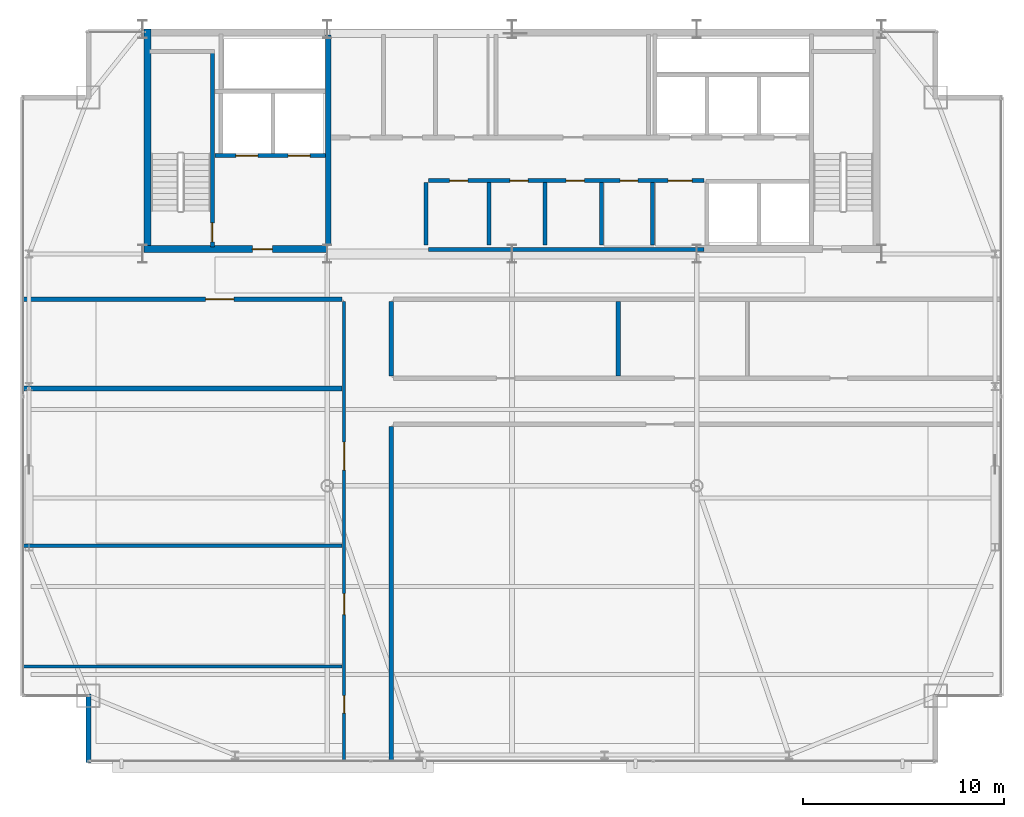
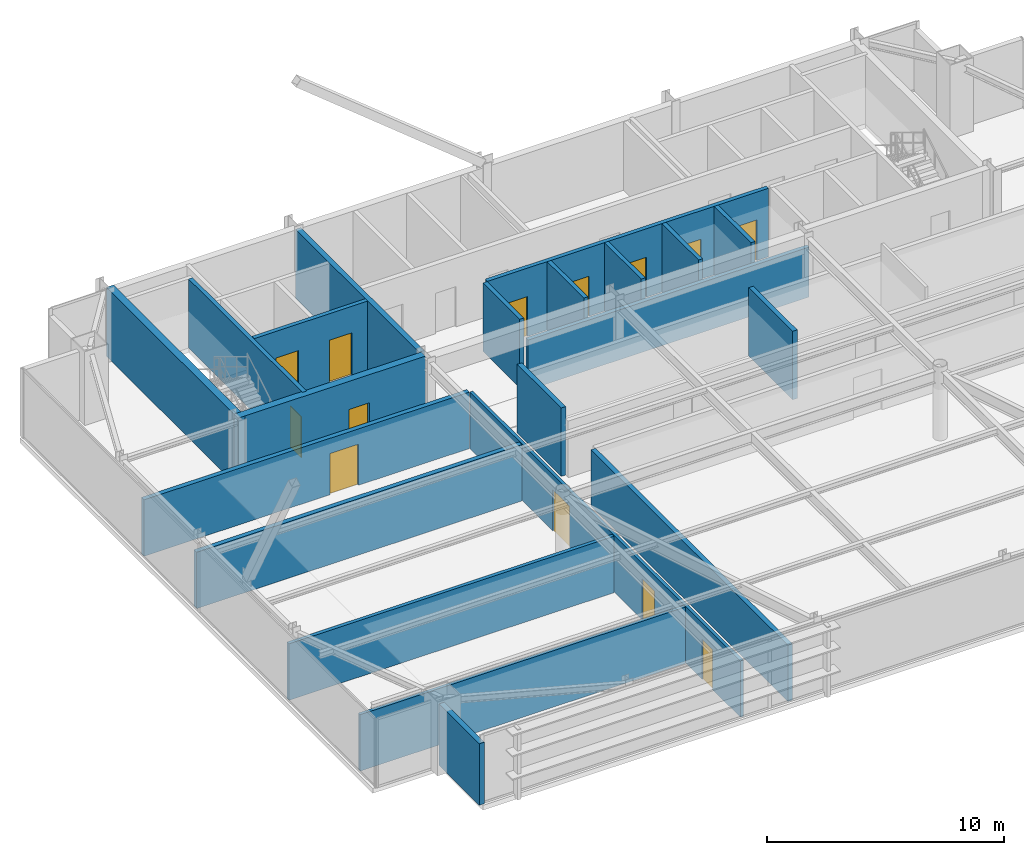
# One storey, part 23 of 26: 21 walls, 13 doors, 13 openings.
"""IFC4 building model written with IfcOpenShell, lengths in metres."""

from ifc_helpers import new_model, si_unit, direction, frame, frame_2d, origin, place, context, subcontext, project, spatial, rectangle, extrude, source, transform, mapped, material, layer, layer_set, type_object, type_shapes, element, fill, save


model = new_model("IFC4")

# Units and contexts
model_context = context("Model", 3, precision=1e-05, world=origin(), true_north=direction((0.0, 1.0)))
body_context = subcontext(model_context, "Body", "Model", "MODEL_VIEW")
ifc_project = project(units=[si_unit("LENGTHUNIT", "METRE"), si_unit("AREAUNIT", "SQUARE_METRE"), si_unit("VOLUMEUNIT", "CUBIC_METRE"), si_unit("PLANEANGLEUNIT", "RADIAN"), si_unit("MASSUNIT", "GRAM", prefix="KILO")], contexts=[model_context])

# Site, building, storey
site_placement = place(None, origin())
site = spatial("IfcSite", under=ifc_project, at=site_placement, CompositionType="ELEMENT")
building_placement = place(site_placement, origin())
building = spatial("IfcBuilding", under=site, at=building_placement, Name="Varnel Quay Broadcast Tower", CompositionType="ELEMENT")
storey_placement = place(building_placement, frame((0.0, 0.0, 218.800048828125)))
storey = spatial("IfcBuildingStorey", under=building, at=storey_placement, Name="L54", CompositionType="ELEMENT", Elevation=218.800048828125)

# Wall, opening, door
ifc_material_1 = material(Name="Concrete CSA A23.3 C50/60", Category="concrete")
ifc_layer_1 = layer(ifc_material_1, 0.199951171875, Name="Concrete CSA A23.3 C50/60")
ifc_layer_set_1 = layer_set([ifc_layer_1], Name="Concrete CSA A23.3 C50/60")
wall_type_1 = type_object("IfcWallType", Name="Wall_CoreShaftShear200", PredefinedType="SHEAR", material=ifc_layer_set_1)
wall_1_placement = place(storey_placement, frame((19.080078125, 35.949951171875, 0.0), z_axis=(0.0, 0.0, 1.0), x_axis=(0.0, 1.0, 0.0)))
wall_1 = element("IfcWall", 1, at=wall_1_placement, inside=storey, type_object=wall_type_1, Name="L54 Stair 1 East Structural Wall", PredefinedType="SHEAR", context=body_context, shape_type="SweptSolid", body=[
    extrude(rectangle(XDim=9.650146484375, YDim=0.199951171875, at=frame_2d((4.8251953125, 0.0))), origin(), (0.0, 0.0, 1.0), 3.550048828125),
])
opening_1_placement = place(wall_1_placement, frame((0.25, 0.0, 0.0)))
opening_1 = element("IfcOpeningElement", 2, at=opening_1_placement, cuts=wall_1, Name="Opening D-L54-S1", PredefinedType="OPENING", context=body_context, shape_type="SweptSolid", body=[
    extrude(rectangle(XDim=0.949951171875, YDim=2.10009765625, at=frame_2d((0.47509765625, 1.050048828125))), frame((0.0, 0.10986328125, 0.0), z_axis=(0.0, -1.0, 0.0), x_axis=(1.0, 0.0, 0.0)), (0.0, 0.0, 1.0), 0.219970703125),
])
ifc_material_2 = material(Name="Insulated Fire-Rated Hollow Steel Door", Category="steel")
door_type_1 = type_object("IfcDoorType", Name="Door_FireStair950", OperationType="NOTDEFINED", PredefinedType="DOOR", material=ifc_material_2)
shared_shape_1 = source(origin(), body_context, "Body", "SweptSolid", [
    extrude(rectangle(XDim=0.949951171875, YDim=2.10009765625, at=frame_2d((0.47509765625, 1.050048828125))), frame((0.0, 0.02490234375, 0.0), z_axis=(0.0, -1.0, 0.0), x_axis=(1.0, 0.0, 0.0)), (0.0, 0.0, 1.0), 0.050048828125),
])
type_shapes(door_type_1, [shared_shape_1])
door_1_placement = place(opening_1_placement, origin())
door_1 = element("IfcDoor", 3, at=door_1_placement, inside=storey, type_object=door_type_1, Name="L54 Stair 1 Fire Door", OperationType="SINGLE_SWING_RIGHT", OverallHeight=2.10009765625, OverallWidth=0.949951171875, PredefinedType="DOOR", context=body_context, shape_type="MappedRepresentation", body=[
    mapped(shared_shape_1, transform((0.0, 0.0, 0.0), x_axis=(1.0, 0.0, 0.0), y_axis=(0.0, 1.0, 0.0), z_axis=(0.0, 0.0, 1.0), scale=1.0)),
])
fill(opening_1, door_1)

# Wall, openings, doors
wall_2_placement = place(storey_placement, frame((19.199951171875, 40.5, 0.0), z_axis=(0.0, 0.0, 1.0), x_axis=(1.0, 0.0, 0.0)))
wall_2 = element("IfcWall", 4, at=wall_2_placement, inside=storey, type_object=wall_type_1, Name="L54 Firefighter Lift Shaft Front Wall", PredefinedType="SHEAR", context=body_context, shape_type="SweptSolid", body=[
    extrude(rectangle(XDim=5.52001953125, YDim=0.199951171875, at=frame_2d((2.760009765625, 0.0))), origin(), (0.0, 0.0, 1.0), 3.550048828125),
])
opening_2_placement = place(wall_2_placement, frame((1.050048828125, 0.0, 0.0)))
opening_2 = element("IfcOpeningElement", 5, at=opening_2_placement, cuts=wall_2, Name="Opening LD-L54-FE1", PredefinedType="OPENING", context=body_context, shape_type="SweptSolid", body=[
    extrude(rectangle(XDim=1.10009765625, YDim=2.179931640625, at=frame_2d((0.550048828125, 1.08984375))), frame((0.0, 0.10986328125, 0.0), z_axis=(0.0, -1.0, 0.0), x_axis=(1.0, 0.0, 0.0)), (0.0, 0.0, 1.0), 0.219970703125),
])
opening_3_placement = place(wall_2_placement, frame((3.64990234375, 0.0, 0.0)))
opening_3 = element("IfcOpeningElement", 6, at=opening_3_placement, cuts=wall_2, Name="Opening LD-L54-FE2", PredefinedType="OPENING", context=body_context, shape_type="SweptSolid", body=[
    extrude(rectangle(XDim=1.10009765625, YDim=2.179931640625, at=frame_2d((0.550048828125, 1.08984375))), frame((0.0, 0.10986328125, 0.0), z_axis=(0.0, -1.0, 0.0), x_axis=(1.0, 0.0, 0.0)), (0.0, 0.0, 1.0), 0.219970703125),
])
ifc_material_3 = material(Name="Brushed Bronze-Stainless Lift Car & Sliding Doors", Category="steel")
door_type_2 = type_object("IfcDoorType", Name="Door_LiftLanding1100", OperationType="SLIDING_TO_LEFT", PredefinedType="DOOR", material=ifc_material_3)
shared_shape_2 = source(origin(), body_context, "Body", "SweptSolid", [
    extrude(rectangle(XDim=1.10009765625, YDim=2.179931640625, at=frame_2d((0.550048828125, 1.08984375))), frame((0.0, 0.02490234375, 0.0), z_axis=(0.0, -1.0, 0.0), x_axis=(1.0, 0.0, 0.0)), (0.0, 0.0, 1.0), 0.050048828125),
])
type_shapes(door_type_2, [shared_shape_2])
door_2_placement = place(opening_2_placement, frame((1.10009765625, 0.0, 0.0), z_axis=(0.0, 0.0, 1.0), x_axis=(-1.0, 0.0, 0.0)))
door_2 = element("IfcDoor", 7, at=door_2_placement, inside=storey, type_object=door_type_2, Name="L54 Firefighter Lift FE-01 Landing Door", OperationType="SLIDING_TO_LEFT", OverallHeight=2.179931640625, OverallWidth=1.10009765625, PredefinedType="DOOR", context=body_context, shape_type="MappedRepresentation", body=[
    mapped(shared_shape_2, transform((0.0, 0.0, 0.0), x_axis=(1.0, 0.0, 0.0), y_axis=(0.0, 1.0, 0.0), z_axis=(0.0, 0.0, 1.0), scale=1.0)),
])
fill(opening_2, door_2)
door_3_placement = place(opening_3_placement, frame((1.10009765625, 0.0, 0.0), z_axis=(0.0, 0.0, 1.0), x_axis=(-1.0, 0.0, 0.0)))
door_3 = element("IfcDoor", 8, at=door_3_placement, inside=storey, type_object=door_type_2, Name="L54 Firefighter Lift FE-02 Landing Door", OperationType="SLIDING_TO_RIGHT", OverallHeight=2.179931640625, OverallWidth=1.10009765625, PredefinedType="DOOR", context=body_context, shape_type="MappedRepresentation", body=[
    mapped(shared_shape_2, transform((0.0, 0.0, 0.0), x_axis=(1.0, 0.0, 0.0), y_axis=(0.0, 1.0, 0.0), z_axis=(0.0, 0.0, 1.0), scale=1.0)),
])
fill(opening_3, door_3)

# Walls
ifc_layer_2 = layer(ifc_material_1, 0.25, Name="Concrete CSA A23.3 C50/60")
ifc_layer_set_2 = layer_set([ifc_layer_2], Name="Concrete CSA A23.3 C50/60")
wall_type_2 = type_object("IfcWallType", Name="Wall_CoreShaftShear250", PredefinedType="SHEAR", material=ifc_layer_set_2)
wall_3_placement = place(storey_placement, frame((24.85009765625, 36.050048828125, 0.0), z_axis=(0.0, 0.0, 1.0), x_axis=(0.0, 1.0, 0.0)))
element("IfcWall", 9, at=wall_3_placement, inside=storey, type_object=wall_type_2, Name="L54 Firefighting Lobby East Structural Wall", PredefinedType="SHEAR", context=body_context, shape_type="SweptSolid", body=[
    extrude(rectangle(XDim=10.449951171875, YDim=0.25, at=frame_2d((5.22509765625, 0.0))), origin(), (0.0, 0.0, 1.0), 3.550048828125),
])
ifc_layer_3 = layer(ifc_material_1, 0.35009765625, Name="Concrete CSA A23.3 C50/60")
ifc_layer_set_3 = layer_set([ifc_layer_3], Name="Concrete CSA A23.3 C50/60")
wall_type_3 = type_object("IfcWallType", Name="Wall_CoreShearInt350", PredefinedType="SHEAR", material=ifc_layer_set_3)
wall_4_placement = place(storey_placement, frame((15.844970703125, 35.669921875, 0.0), z_axis=(0.0, 0.0, 1.0), x_axis=(0.0, 1.0, 0.0)))
element("IfcWall", 10, at=wall_4_placement, inside=storey, type_object=wall_type_3, Name="L54 West Core Shear Wall", PredefinedType="SHEAR", context=body_context, shape_type="SweptSolid", body=[
    extrude(rectangle(XDim=11.130126953125, YDim=0.35009765625, at=frame_2d((5.56494140625, 0.0))), origin(), (0.0, 0.0, 1.0), 3.550048828125),
])

# Wall, opening, door
wall_5_placement = place(storey_placement, frame((15.669921875, 35.844970703125, 0.0), z_axis=(0.0, 0.0, 1.0), x_axis=(1.0, 0.0, 0.0)))
wall_5 = element("IfcWall", 11, at=wall_5_placement, inside=storey, type_object=wall_type_3, Name="L54 South-West Core Shear Wall", PredefinedType="SHEAR", context=body_context, shape_type="SweptSolid", body=[
    extrude(rectangle(XDim=9.130126953125, YDim=0.35009765625, at=frame_2d((4.56494140625, 0.0))), origin(), (0.0, 0.0, 1.0), 3.550048828125),
])
opening_4_placement = place(wall_5_placement, frame((5.39990234375, 0.0, 0.0)))
opening_4 = element("IfcOpeningElement", 12, at=opening_4_placement, cuts=wall_5, Name="Opening D-L54-FFL", PredefinedType="OPENING", context=body_context, shape_type="SweptSolid", body=[
    extrude(rectangle(XDim=1.0, YDim=2.10009765625, at=frame_2d((0.5, 1.050048828125))), frame((0.0, 0.18505859375, 0.0), z_axis=(0.0, -1.0, 0.0), x_axis=(1.0, 0.0, 0.0)), (0.0, 0.0, 1.0), 0.3701171875),
])
door_type_3 = type_object("IfcDoorType", Name="Door_FireLobby1000", OperationType="NOTDEFINED", PredefinedType="DOOR", material=ifc_material_2)
shared_shape_3 = source(origin(), body_context, "Body", "SweptSolid", [
    extrude(rectangle(XDim=1.0, YDim=2.10009765625, at=frame_2d((0.5, 1.050048828125))), frame((0.0, 0.02490234375, 0.0), z_axis=(0.0, -1.0, 0.0), x_axis=(1.0, 0.0, 0.0)), (0.0, 0.0, 1.0), 0.050048828125),
])
type_shapes(door_type_3, [shared_shape_3])
door_4_placement = place(opening_4_placement, origin())
door_4 = element("IfcDoor", 13, at=door_4_placement, inside=storey, type_object=door_type_3, Name="L54 Firefighting Lobby Door", OperationType="SINGLE_SWING_LEFT", OverallHeight=2.10009765625, OverallWidth=1.0, PredefinedType="DOOR", context=body_context, shape_type="MappedRepresentation", body=[
    mapped(shared_shape_3, transform((0.0, 0.0, 0.0), x_axis=(1.0, 0.0, 0.0), y_axis=(0.0, 1.0, 0.0), z_axis=(0.0, 0.0, 1.0), scale=1.0)),
])
fill(opening_4, door_4)

# Walls
ifc_material_4 = material(Name="Precast Architectural Concrete C40/50", Category="concrete")
ifc_layer_4 = layer(ifc_material_4, 0.25, Name="Precast Architectural Concrete C40/50")
ifc_layer_set_4 = layer_set([ifc_layer_4], Name="Precast Architectural Concrete C40/50")
wall_type_4 = type_object("IfcWallType", Name="Wall_ExtTerrace250", PredefinedType="SOLIDWALL", material=ifc_layer_set_4)
wall_6_placement = place(storey_placement, frame((12.89990234375, 10.280029296875, 0.0), z_axis=(0.0, 0.0, 1.0), x_axis=(0.0, 1.0, 0.0)))
element("IfcWall", 14, at=wall_6_placement, inside=storey, type_object=wall_type_4, Name="L54 Mega-Column Notch Cladding Wall NSW2", PredefinedType="SOLIDWALL", context=body_context, shape_type="SweptSolid", body=[
    extrude(rectangle(XDim=3.39990234375, YDim=0.25, at=frame_2d((1.699951171875, 0.0))), origin(), (0.0, 0.0, 1.0), 3.1708984375),
])
ifc_material_5 = material(Name="Concrete Blockwork Fire Enclosure C40/50", Category="masonry")
ifc_layer_5 = layer(ifc_material_5, 0.199951171875, Name="Concrete Blockwork Fire Enclosure C40/50")
ifc_layer_set_5 = layer_set([ifc_layer_5], Name="Concrete Blockwork Fire Enclosure C40/50")
wall_type_5 = type_object("IfcWallType", Name="Wall_FireShaft200", PredefinedType="SOLIDWALL", material=ifc_layer_set_5)
wall_7_placement = place(storey_placement, frame((29.85009765625, 35.824951171875, 0.0), z_axis=(0.0, 0.0, 1.0), x_axis=(1.0, 0.0, 0.0)))
element("IfcWall", 15, at=wall_7_placement, inside=storey, type_object=wall_type_5, Name="L54 Accessible Washroom Partition 1", PredefinedType="SOLIDWALL", context=body_context, shape_type="SweptSolid", body=[
    extrude(rectangle(XDim=13.699951171875, YDim=0.199951171875, at=frame_2d((6.85009765625, 0.0))), origin(), (0.0, 0.0, 1.0), 2.574951171875),
])

# Wall, openings, doors
wall_8_placement = place(storey_placement, frame((29.85009765625, 39.25, 0.0), z_axis=(0.0, 0.0, 1.0), x_axis=(1.0, 0.0, 0.0)))
wall_8 = element("IfcWall", 16, at=wall_8_placement, inside=storey, type_object=wall_type_5, Name="L54 Accessible Washroom Partition 3", PredefinedType="SOLIDWALL", context=body_context, shape_type="SweptSolid", body=[
    extrude(rectangle(XDim=13.699951171875, YDim=0.199951171875, at=frame_2d((6.85009765625, 0.0))), origin(), (0.0, 0.0, 1.0), 3.530029296875),
])
opening_5_placement = place(wall_8_placement, frame((1.050048828125, 0.0, 0.0)))
opening_5 = element("IfcOpeningElement", 17, at=opening_5_placement, cuts=wall_8, Name="Opening D-L54-01", PredefinedType="OPENING", context=body_context, shape_type="SweptSolid", body=[
    extrude(rectangle(XDim=0.89990234375, YDim=2.06005859375, at=frame_2d((0.449951171875, 1.030029296875))), frame((0.0, 0.10986328125, 0.0), z_axis=(0.0, -1.0, 0.0), x_axis=(1.0, 0.0, 0.0)), (0.0, 0.0, 1.0), 0.219970703125),
])
opening_6_placement = place(wall_8_placement, frame((4.050048828125, 0.0, 0.0)))
opening_6 = element("IfcOpeningElement", 18, at=opening_6_placement, cuts=wall_8, Name="Opening D-L54-02", PredefinedType="OPENING", context=body_context, shape_type="SweptSolid", body=[
    extrude(rectangle(XDim=0.89990234375, YDim=2.06005859375, at=frame_2d((0.449951171875, 1.030029296875))), frame((0.0, 0.10986328125, 0.0), z_axis=(0.0, -1.0, 0.0), x_axis=(1.0, 0.0, 0.0)), (0.0, 0.0, 1.0), 0.219970703125),
])
opening_7_placement = place(wall_8_placement, frame((6.85009765625, 0.0, 0.0)))
opening_7 = element("IfcOpeningElement", 19, at=opening_7_placement, cuts=wall_8, Name="Opening D-L54-03", PredefinedType="OPENING", context=body_context, shape_type="SweptSolid", body=[
    extrude(rectangle(XDim=0.89990234375, YDim=2.06005859375, at=frame_2d((0.449951171875, 1.030029296875))), frame((0.0, 0.10986328125, 0.0), z_axis=(0.0, -1.0, 0.0), x_axis=(1.0, 0.0, 0.0)), (0.0, 0.0, 1.0), 0.219970703125),
])
opening_8_placement = place(wall_8_placement, frame((9.534912109375, 0.0, 0.0)))
opening_8 = element("IfcOpeningElement", 20, at=opening_8_placement, cuts=wall_8, Name="Opening D-L54-04", PredefinedType="OPENING", context=body_context, shape_type="SweptSolid", body=[
    extrude(rectangle(XDim=0.8798828125, YDim=2.06005859375, at=frame_2d((0.43994140625, 1.030029296875))), frame((0.0, 0.10986328125, 0.0), z_axis=(0.0, -1.0, 0.0), x_axis=(1.0, 0.0, 0.0)), (0.0, 0.0, 1.0), 0.219970703125),
])
opening_9_placement = place(wall_8_placement, frame((11.925048828125, 0.0, 0.0)))
opening_9 = element("IfcOpeningElement", 21, at=opening_9_placement, cuts=wall_8, Name="Opening D-L54-05", PredefinedType="OPENING", context=body_context, shape_type="SweptSolid", body=[
    extrude(rectangle(XDim=1.199951171875, YDim=2.10009765625, at=frame_2d((0.60009765625, 1.050048828125))), frame((0.0, 0.10986328125, 0.0), z_axis=(0.0, -1.0, 0.0), x_axis=(1.0, 0.0, 0.0)), (0.0, 0.0, 1.0), 0.219970703125),
])
ifc_material_6 = material(Name="Solid-Core Fire-Rated Acoustic Oak Veneer Door", Category="wood")
door_type_4 = type_object("IfcDoorType", Name="Door_Washroom900", OperationType="NOTDEFINED", PredefinedType="DOOR", material=ifc_material_6)
shared_shape_4 = source(origin(), body_context, "Body", "SweptSolid", [
    extrude(rectangle(XDim=0.89990234375, YDim=2.06005859375, at=frame_2d((0.449951171875, 1.030029296875))), frame((0.0, 0.02490234375, 0.0), z_axis=(0.0, -1.0, 0.0), x_axis=(1.0, 0.0, 0.0)), (0.0, 0.0, 1.0), 0.050048828125),
])
type_shapes(door_type_4, [shared_shape_4])
door_5_placement = place(opening_5_placement, frame((0.89990234375, 0.0, 0.0), z_axis=(0.0, 0.0, 1.0), x_axis=(-1.0, 0.0, 0.0)))
door_5 = element("IfcDoor", 22, at=door_5_placement, inside=storey, type_object=door_type_4, Name="L54 Accessible Washroom Door D-L54-01", OperationType="SINGLE_SWING_LEFT", OverallHeight=2.06005859375, OverallWidth=0.89990234375, PredefinedType="DOOR", context=body_context, shape_type="MappedRepresentation", body=[
    mapped(shared_shape_4, transform((0.0, 0.0, 0.0), x_axis=(1.0, 0.0, 0.0), y_axis=(0.0, 1.0, 0.0), z_axis=(0.0, 0.0, 1.0), scale=1.0)),
])
fill(opening_5, door_5)
door_6_placement = place(opening_6_placement, frame((0.89990234375, 0.0, 0.0), z_axis=(0.0, 0.0, 1.0), x_axis=(-1.0, 0.0, 0.0)))
door_6 = element("IfcDoor", 23, at=door_6_placement, inside=storey, type_object=door_type_4, Name="L54 West Gender-Neutral Washroom Door D-L54-02", OperationType="SINGLE_SWING_RIGHT", OverallHeight=2.06005859375, OverallWidth=0.89990234375, PredefinedType="DOOR", context=body_context, shape_type="MappedRepresentation", body=[
    mapped(shared_shape_4, transform((0.0, 0.0, 0.0), x_axis=(1.0, 0.0, 0.0), y_axis=(0.0, 1.0, 0.0), z_axis=(0.0, 0.0, 1.0), scale=1.0)),
])
fill(opening_6, door_6)
door_7_placement = place(opening_7_placement, frame((0.89990234375, 0.0, 0.0), z_axis=(0.0, 0.0, 1.0), x_axis=(-1.0, 0.0, 0.0)))
door_7 = element("IfcDoor", 24, at=door_7_placement, inside=storey, type_object=door_type_4, Name="L54 East Staff Washroom Door D-L54-03", OperationType="SINGLE_SWING_LEFT", OverallHeight=2.06005859375, OverallWidth=0.89990234375, PredefinedType="DOOR", context=body_context, shape_type="MappedRepresentation", body=[
    mapped(shared_shape_4, transform((0.0, 0.0, 0.0), x_axis=(1.0, 0.0, 0.0), y_axis=(0.0, 1.0, 0.0), z_axis=(0.0, 0.0, 1.0), scale=1.0)),
])
fill(opening_7, door_7)
door_type_5 = type_object("IfcDoorType", Name="Door_Plant1200", OperationType="NOTDEFINED", PredefinedType="DOOR", material=ifc_material_2)
shared_shape_5 = source(origin(), body_context, "Body", "SweptSolid", [
    extrude(rectangle(XDim=1.199951171875, YDim=2.10009765625, at=frame_2d((0.60009765625, 1.050048828125))), frame((0.0, 0.02490234375, 0.0), z_axis=(0.0, -1.0, 0.0), x_axis=(1.0, 0.0, 0.0)), (0.0, 0.0, 1.0), 0.050048828125),
])
type_shapes(door_type_5, [shared_shape_5])
door_8_placement = place(opening_9_placement, origin())
door_8 = element("IfcDoor", 25, at=door_8_placement, inside=storey, type_object=door_type_5, Name="L54 Telecom IDF Closet Door D-L54-05", OperationType="SINGLE_SWING_LEFT", OverallHeight=2.10009765625, OverallWidth=1.199951171875, PredefinedType="DOOR", context=body_context, shape_type="MappedRepresentation", body=[
    mapped(shared_shape_5, transform((0.0, 0.0, 0.0), x_axis=(1.0, 0.0, 0.0), y_axis=(0.0, 1.0, 0.0), z_axis=(0.0, 0.0, 1.0), scale=1.0)),
])
fill(opening_9, door_8)
door_type_6 = type_object("IfcDoorType", Name="Door_Booth880", OperationType="NOTDEFINED", PredefinedType="DOOR", material=ifc_material_6)
shared_shape_6 = source(origin(), body_context, "Body", "SweptSolid", [
    extrude(rectangle(XDim=0.8798828125, YDim=2.06005859375, at=frame_2d((0.43994140625, 1.030029296875))), frame((0.0, 0.02490234375, 0.0), z_axis=(0.0, -1.0, 0.0), x_axis=(1.0, 0.0, 0.0)), (0.0, 0.0, 1.0), 0.050048828125),
])
type_shapes(door_type_6, [shared_shape_6])
door_9_placement = place(opening_8_placement, frame((0.8798828125, 0.0, 0.0), z_axis=(0.0, 0.0, 1.0), x_axis=(-1.0, 0.0, 0.0)))
door_9 = element("IfcDoor", 26, at=door_9_placement, inside=storey, type_object=door_type_6, Name="L54 Cleaners' & Linen Store Door D-L54-04", OperationType="SINGLE_SWING_RIGHT", OverallHeight=2.06005859375, OverallWidth=0.8798828125, PredefinedType="DOOR", context=body_context, shape_type="MappedRepresentation", body=[
    mapped(shared_shape_6, transform((0.0, 0.0, 0.0), x_axis=(1.0, 0.0, 0.0), y_axis=(0.0, 1.0, 0.0), z_axis=(0.0, 0.0, 1.0), scale=1.0)),
])
fill(opening_8, door_9)

# Wall
wall_9_placement = place(storey_placement, frame((41.0, 36.050048828125, 0.0), z_axis=(0.0, 0.0, 1.0), x_axis=(0.0, 1.0, 0.0)))
element("IfcWall", 27, at=wall_9_placement, inside=storey, type_object=wall_type_5, Name="L54 Cleaners' & Linen Store Partition 7", PredefinedType="SOLIDWALL", context=body_context, shape_type="SweptSolid", body=[
    extrude(rectangle(XDim=3.099853515625, YDim=0.199951171875, at=frame_2d((1.5498046875, 0.0))), origin(), (0.0, 0.0, 1.0), 3.530029296875),
])

# Wall, openings, doors
ifc_material_7 = material(Name="Steel-Stud Fire-Rated Acoustic Gypsum Partition Assembly", Category="steel")
ifc_layer_6 = layer(ifc_material_7, 0.14990234375, Name="Steel-Stud Fire-Rated Acoustic Gypsum Partition Assembly")
ifc_layer_set_6 = layer_set([ifc_layer_6], Name="Steel-Stud Fire-Rated Acoustic Gypsum Partition Assembly")
wall_type_6 = type_object("IfcWallType", Name="Wall_Partition150", PredefinedType="PARTITIONING", material=ifc_layer_set_6)
wall_10_placement = place(storey_placement, frame((25.639892578125, 10.3798828125, 0.0), z_axis=(0.0, 0.0, 1.0), x_axis=(0.0, 1.0, 0.0)))
wall_10 = element("IfcWall", 28, at=wall_10_placement, inside=storey, type_object=wall_type_6, Name="L54 Pantry Niche 1 Partition 8", PredefinedType="PARTITIONING", context=body_context, shape_type="SweptSolid", body=[
    extrude(rectangle(XDim=22.858154296875, YDim=0.14990234375, at=frame_2d((11.42919921875, 0.0))), origin(), (0.0, 0.0, 1.0), 2.907958984375),
])
opening_10_placement = place(wall_10_placement, frame((2.35009765625, 0.0, 0.0)))
opening_10 = element("IfcOpeningElement", 29, at=opening_10_placement, cuts=wall_10, Name="Opening D-L54-06", PredefinedType="OPENING", context=body_context, shape_type="SweptSolid", body=[
    extrude(rectangle(XDim=0.8798828125, YDim=2.06005859375, at=frame_2d((0.43994140625, 1.030029296875))), frame((0.0, 0.0849609375, 0.0), z_axis=(0.0, -1.0, 0.0), x_axis=(1.0, 0.0, 0.0)), (0.0, 0.0, 1.0), 0.169921875),
])
opening_11_placement = place(wall_10_placement, frame((7.260009765625, 0.0, 0.0)))
opening_11 = element("IfcOpeningElement", 30, at=opening_11_placement, cuts=wall_10, Name="Opening D-L54-07", PredefinedType="OPENING", context=body_context, shape_type="SweptSolid", body=[
    extrude(rectangle(XDim=1.050048828125, YDim=2.10009765625, at=frame_2d((0.52490234375, 1.050048828125))), frame((0.0, 0.0849609375, 0.0), z_axis=(0.0, -1.0, 0.0), x_axis=(1.0, 0.0, 0.0)), (0.0, 0.0, 1.0), 0.169921875),
])
opening_12_placement = place(wall_10_placement, frame((14.449951171875, 0.0, 0.0)))
opening_12 = element("IfcOpeningElement", 31, at=opening_12_placement, cuts=wall_10, Name="Opening D-L54-08", PredefinedType="OPENING", context=body_context, shape_type="SweptSolid", body=[
    extrude(rectangle(XDim=1.39990234375, YDim=2.1201171875, at=frame_2d((0.699951171875, 1.06005859375))), frame((0.0, 0.0849609375, 0.0), z_axis=(0.0, -1.0, 0.0), x_axis=(1.0, 0.0, 0.0)), (0.0, 0.0, 1.0), 0.169921875),
])
door_10_placement = place(opening_10_placement, origin())
door_10 = element("IfcDoor", 32, at=door_10_placement, inside=storey, type_object=door_type_6, Name="L54 Pantry Niche 1 Door D-L54-06", OperationType="SINGLE_SWING_RIGHT", OverallHeight=2.06005859375, OverallWidth=0.8798828125, PredefinedType="DOOR", context=body_context, shape_type="MappedRepresentation", body=[
    mapped(shared_shape_6, transform((0.0, 0.0, 0.0), x_axis=(1.0, 0.0, 0.0), y_axis=(0.0, 1.0, 0.0), z_axis=(0.0, 0.0, 1.0), scale=1.0)),
])
fill(opening_10, door_10)
door_type_7 = type_object("IfcDoorType", Name="Door_Meeting1050", OperationType="NOTDEFINED", PredefinedType="DOOR", material=ifc_material_6)
shared_shape_7 = source(origin(), body_context, "Body", "SweptSolid", [
    extrude(rectangle(XDim=1.050048828125, YDim=2.10009765625, at=frame_2d((0.52490234375, 1.050048828125))), frame((0.0, 0.02490234375, 0.0), z_axis=(0.0, -1.0, 0.0), x_axis=(1.0, 0.0, 0.0)), (0.0, 0.0, 1.0), 0.050048828125),
])
type_shapes(door_type_7, [shared_shape_7])
door_11_placement = place(opening_11_placement, origin())
door_11 = element("IfcDoor", 33, at=door_11_placement, inside=storey, type_object=door_type_7, Name="L54 Broadcast Seminar Room 2 Door D-L54-07", OperationType="SINGLE_SWING_LEFT", OverallHeight=2.10009765625, OverallWidth=1.050048828125, PredefinedType="DOOR", context=body_context, shape_type="MappedRepresentation", body=[
    mapped(shared_shape_7, transform((0.0, 0.0, 0.0), x_axis=(1.0, 0.0, 0.0), y_axis=(0.0, 1.0, 0.0), z_axis=(0.0, 0.0, 1.0), scale=1.0)),
])
fill(opening_11, door_11)
door_type_8 = type_object("IfcDoorType", Name="Door_Gallery1400", OperationType="DOUBLE_DOOR_SINGLE_SWING", PredefinedType="DOOR", material=ifc_material_6)
shared_shape_8 = source(origin(), body_context, "Body", "SweptSolid", [
    extrude(rectangle(XDim=1.39990234375, YDim=2.1201171875, at=frame_2d((0.699951171875, 1.06005859375))), frame((0.0, 0.02490234375, 0.0), z_axis=(0.0, -1.0, 0.0), x_axis=(1.0, 0.0, 0.0)), (0.0, 0.0, 1.0), 0.050048828125),
])
type_shapes(door_type_8, [shared_shape_8])
door_12_placement = place(opening_12_placement, origin())
door_12 = element("IfcDoor", 34, at=door_12_placement, inside=storey, type_object=door_type_8, Name="L54 Podcast Recording Studio 3 Door D-L54-08", OperationType="DOUBLE_DOOR_SINGLE_SWING", OverallHeight=2.1201171875, OverallWidth=1.39990234375, PredefinedType="DOOR", context=body_context, shape_type="MappedRepresentation", body=[
    mapped(shared_shape_8, transform((0.0, 0.0, 0.0), x_axis=(1.0, 0.0, 0.0), y_axis=(0.0, 1.0, 0.0), z_axis=(0.0, 0.0, 1.0), scale=1.0)),
])
fill(opening_12, door_12)

# Walls
wall_11_placement = place(storey_placement, frame((9.679931640625, 15.050048828125, 0.0), z_axis=(0.0, 0.0, 1.0), x_axis=(1.0, 0.0, 0.0)))
element("IfcWall", 35, at=wall_11_placement, inside=storey, type_object=wall_type_6, Name="L54 Pantry Niche 1 Partition 9", PredefinedType="PARTITIONING", context=body_context, shape_type="SweptSolid", body=[
    extrude(rectangle(XDim=15.860107421875, YDim=0.14990234375, at=frame_2d((7.93017578125, 0.0))), origin(), (0.0, 0.0, 1.0), 2.907958984375),
])
ifc_layer_7 = layer(ifc_material_7, 0.175048828125, Name="Steel-Stud Fire-Rated Acoustic Gypsum Partition Assembly")
ifc_layer_set_7 = layer_set([ifc_layer_7], Name="Steel-Stud Fire-Rated Acoustic Gypsum Partition Assembly")
wall_type_7 = type_object("IfcWallType", Name="Wall_Partition175", PredefinedType="PARTITIONING", material=ifc_layer_set_7)
wall_12_placement = place(storey_placement, frame((9.679931640625, 21.080078125, 0.0), z_axis=(0.0, 0.0, 1.0), x_axis=(1.0, 0.0, 0.0)))
element("IfcWall", 36, at=wall_12_placement, inside=storey, type_object=wall_type_7, Name="L54 Broadcast Seminar Room 2 Partition 10", PredefinedType="PARTITIONING", context=body_context, shape_type="SweptSolid", body=[
    extrude(rectangle(XDim=15.860107421875, YDim=0.175048828125, at=frame_2d((7.93017578125, 0.0))), origin(), (0.0, 0.0, 1.0), 2.907958984375),
])
ifc_layer_8 = layer(ifc_material_7, 0.22509765625, Name="Steel-Stud Fire-Rated Acoustic Gypsum Partition Assembly")
ifc_layer_set_8 = layer_set([ifc_layer_8], Name="Steel-Stud Fire-Rated Acoustic Gypsum Partition Assembly")
wall_type_8 = type_object("IfcWallType", Name="Wall_Partition225", PredefinedType="PARTITIONING", material=ifc_layer_set_8)
wall_13_placement = place(storey_placement, frame((9.679931640625, 28.89990234375, 0.0), z_axis=(0.0, 0.0, 1.0), x_axis=(1.0, 0.0, 0.0)))
element("IfcWall", 37, at=wall_13_placement, inside=storey, type_object=wall_type_8, Name="L54 Podcast Recording Studio 3 Partition 11", PredefinedType="PARTITIONING", context=body_context, shape_type="SweptSolid", body=[
    extrude(rectangle(XDim=15.860107421875, YDim=0.22509765625, at=frame_2d((7.93017578125, 0.0))), origin(), (0.0, 0.0, 1.0), 2.907958984375),
])

# Wall, opening, door
wall_14_placement = place(storey_placement, frame((9.679931640625, 33.35009765625, 0.0), z_axis=(0.0, 0.0, 1.0), x_axis=(1.0, 0.0, 0.0)))
wall_14 = element("IfcWall", 38, at=wall_14_placement, inside=storey, type_object=wall_type_8, Name="L54 Foley Sound Studio 4 Partition 12", PredefinedType="PARTITIONING", context=body_context, shape_type="SweptSolid", body=[
    extrude(rectangle(XDim=15.860107421875, YDim=0.22509765625, at=frame_2d((7.93017578125, 0.0))), origin(), (0.0, 0.0, 1.0), 2.907958984375),
])
opening_13_placement = place(wall_14_placement, frame((9.06494140625, 0.0, 0.0)))
opening_13 = element("IfcOpeningElement", 39, at=opening_13_placement, cuts=wall_14, Name="Opening D-L54-09", PredefinedType="OPENING", context=body_context, shape_type="SweptSolid", body=[
    extrude(rectangle(XDim=1.39990234375, YDim=2.1201171875, at=frame_2d((0.699951171875, 1.06005859375))), frame((0.0, 0.12255859375, 0.0), z_axis=(0.0, -1.0, 0.0), x_axis=(1.0, 0.0, 0.0)), (0.0, 0.0, 1.0), 0.2451171875),
])
door_13_placement = place(opening_13_placement, frame((1.39990234375, 0.0, 0.0), z_axis=(0.0, 0.0, 1.0), x_axis=(-1.0, 0.0, 0.0)))
door_13 = element("IfcDoor", 40, at=door_13_placement, inside=storey, type_object=door_type_8, Name="L54 Foley Sound Studio 4 Door D-L54-09", OperationType="DOUBLE_DOOR_SINGLE_SWING", OverallHeight=2.1201171875, OverallWidth=1.39990234375, PredefinedType="DOOR", context=body_context, shape_type="MappedRepresentation", body=[
    mapped(shared_shape_8, transform((0.0, 0.0, 0.0), x_axis=(1.0, 0.0, 0.0), y_axis=(0.0, 1.0, 0.0), z_axis=(0.0, 0.0, 1.0), scale=1.0)),
])
fill(opening_13, door_13)

# Walls
wall_15_placement = place(storey_placement, frame((27.989990234375, 10.3798828125, 0.0), z_axis=(0.0, 0.0, 1.0), x_axis=(0.0, 1.0, 0.0)))
element("IfcWall", 41, at=wall_15_placement, inside=storey, type_object=wall_type_8, Name="L54 Voice Booth 5 Partition 14", PredefinedType="PARTITIONING", context=body_context, shape_type="SweptSolid", body=[
    extrude(rectangle(XDim=16.6171875, YDim=0.22509765625, at=frame_2d((8.30859375, 0.0))), origin(), (0.0, 0.0, 1.0), 2.907958984375),
])
for number, where, z_axis, x_axis, name in (
    (42, (39.280029296875, 29.52294921875, 0.0), (0.0, 0.0, 1.0), (0.0, 1.0, 0.0), "L54 Audio Control Room 6 Partition 16"),
    (43, (27.989990234375, 29.52294921875, 0.0), (0.0, 0.0, 1.0), (0.0, 1.0, 0.0), "L54 Audio Control Room 6 Partition 18"),
):
    element("IfcWall", number, at=place(storey_placement, frame(where, z_axis=z_axis, x_axis=x_axis)), inside=storey, type_object=wall_type_8, Name=name, PredefinedType="PARTITIONING", context=body_context, shape_type="SweptSolid", body=[
        extrude(rectangle(XDim=3.715087890625, YDim=0.22509765625, at=frame_2d((1.857421875, 0.0))), origin(), (0.0, 0.0, 1.0), 3.530029296875),
    ])
ifc_material_8 = material(Name="Fire-Rated Moisture-Resistant Plumbing Chase Partition")
ifc_layer_9 = layer(ifc_material_8, 0.199951171875, Name="Fire-Rated Moisture-Resistant Plumbing Chase Partition")
ifc_layer_set_9 = layer_set([ifc_layer_9], Name="Fire-Rated Moisture-Resistant Plumbing Chase Partition")
wall_type_9 = type_object("IfcWallType", Name="Wall_Plumbing200", PredefinedType="PLUMBINGWALL", material=ifc_layer_set_9)
for number, where, z_axis, x_axis, name in (
    (44, (32.85009765625, 36.050048828125, 0.0), (0.0, 0.0, 1.0), (0.0, 1.0, 0.0), "L54 Accessible Washroom Partition 2"),
    (45, (29.72509765625, 36.050048828125, 0.0), (0.0, 0.0, 1.0), (0.0, 1.0, 0.0), "L54 Accessible Washroom Partition 4"),
    (46, (35.64990234375, 36.050048828125, 0.0), (0.0, 0.0, 1.0), (0.0, 1.0, 0.0), "L54 West Gender-Neutral Washroom Partition 5"),
    (47, (38.449951171875, 36.050048828125, 0.0), (0.0, 0.0, 1.0), (0.0, 1.0, 0.0), "L54 East Staff Washroom Partition 6"),
):
    element("IfcWall", number, at=place(storey_placement, frame(where, z_axis=z_axis, x_axis=x_axis)), inside=storey, type_object=wall_type_9, Name=name, PredefinedType="PLUMBINGWALL", context=body_context, shape_type="SweptSolid", body=[
        extrude(rectangle(XDim=3.099853515625, YDim=0.199951171875, at=frame_2d((1.5498046875, 0.0))), origin(), (0.0, 0.0, 1.0), 3.530029296875),
    ])

save(model, "model.ifc")
